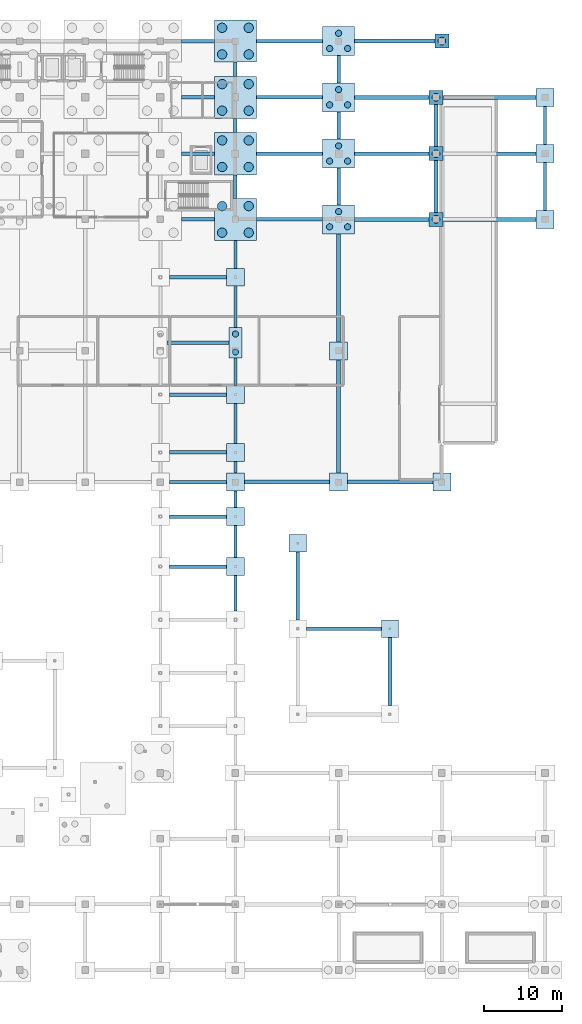
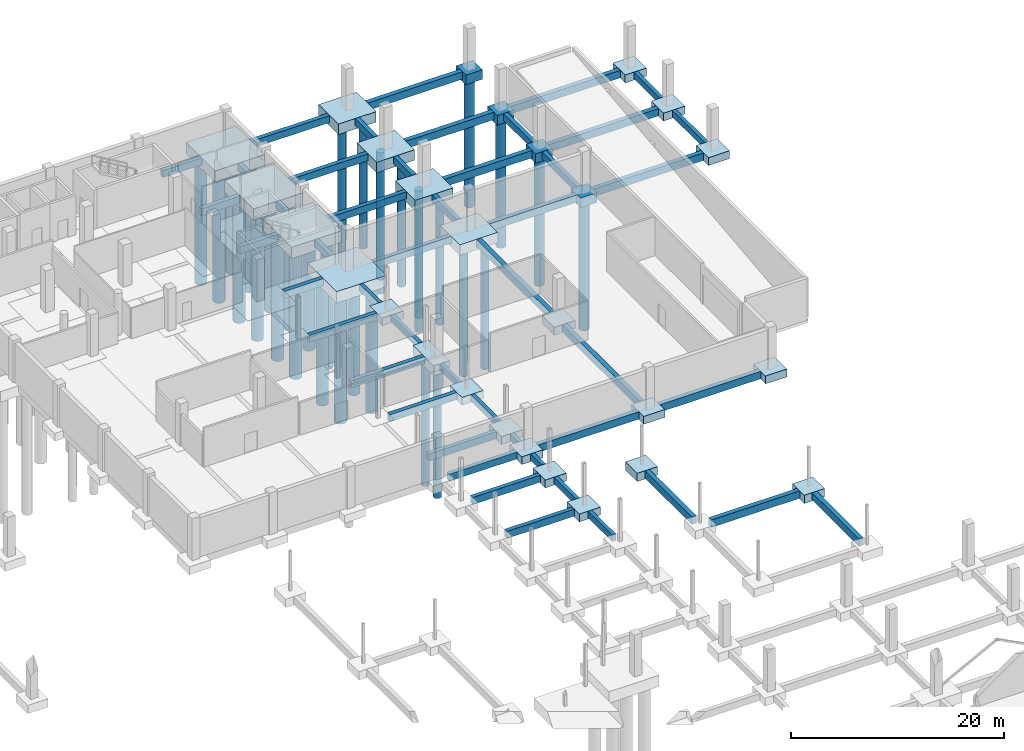
# One storey, part 7 of 44: 74 footings, 34 piles.
"""IFC4 building model written with IfcOpenShell, lengths in metres."""

from ifc_helpers import new_model, si_unit, direction, frame, origin, origin_2d, place, context, subcontext, project, spatial, rectangle, circle, extrude, material, material_profile, profile_set, type_object, element, save


model = new_model("IFC4")

# Units and contexts
model_context = context("Model", 3, precision=1e-05, world=origin(), true_north=direction((0.0, 1.0)))
body_context = subcontext(model_context, "Body", "Model", "MODEL_VIEW")
ifc_project = project(units=[si_unit("LENGTHUNIT", "METRE"), si_unit("AREAUNIT", "SQUARE_METRE"), si_unit("VOLUMEUNIT", "CUBIC_METRE"), si_unit("PLANEANGLEUNIT", "RADIAN"), si_unit("MASSUNIT", "GRAM", prefix="KILO")], contexts=[model_context])

# Site, building, storey
site_placement = place(None, origin())
site = spatial("IfcSite", under=ifc_project, at=site_placement, CompositionType="ELEMENT")
building_placement = place(site_placement, origin())
building = spatial("IfcBuilding", under=site, at=building_placement, Name="Kisaragi Civic Commons", CompositionType="ELEMENT")
storey_placement = place(building_placement, frame((0.0, 0.0, -4.800048828125)))
storey = spatial("IfcBuildingStorey", under=building, at=storey_placement, Name="B1", CompositionType="ELEMENT", Elevation=-4.800048828125)

# Footings
ifc_material_1 = material(Name="Concrete Fc27", Category="concrete")
ifc_material_profile_1 = material_profile(ifc_material_1, rectangle(XDim=0.5, YDim=0.85009765625, at=origin_2d()), Name="RC-500x850", Category="concrete")
ifc_profile_set_1 = profile_set([ifc_material_profile_1], Name="Concrete Fc27")
footing_type_1 = type_object("IfcFootingType", Name="FB-01", PredefinedType="FOOTING_BEAM", material=ifc_profile_set_1)
footing_1_placement = place(storey_placement, frame((142.27392578125, 43.64990234375, -0.425048828125), z_axis=(1.0, 0.0, 0.0), x_axis=(0.0, 1.0, 0.0)))
element("IfcFooting", 1, at=footing_1_placement, inside=storey, type_object=footing_type_1, Name="Foundation tie beam FB-01 X64", PredefinedType="FOOTING_BEAM", context=body_context, shape_type="SweptSolid", body=[
    extrude(rectangle(XDim=0.5, YDim=0.85009765625, at=origin_2d()), origin(), (0.0, 0.0, 1.0), 9.576171875),
])
for number, where, z_axis, x_axis, name in (
    (2, (134.35009765625, 62.39990234375, -0.425048828125), (1.0, 0.0, 0.0), (0.0, 1.0, 0.0), "Foundation tie beam FB-01 X78"),
    (3, (147.550048828125, 62.39990234375, -0.425048828125), (1.0, 0.0, 0.0), (0.0, 1.0, 0.0), "Foundation tie beam FB-01 X79"),
):
    element("IfcFooting", number, at=place(storey_placement, frame(where, z_axis=z_axis, x_axis=x_axis)), inside=storey, type_object=footing_type_1, Name=name, PredefinedType="FOOTING_BEAM", context=body_context, shape_type="SweptSolid", body=[
        extrude(rectangle(XDim=0.5, YDim=0.85009765625, at=origin_2d()), origin(), (0.0, 0.0, 1.0), 10.89990234375),
    ])
footing_2_placement = place(storey_placement, frame((148.449951171875, 96.0, -0.425048828125), z_axis=(1.0, 0.0, 0.0), x_axis=(0.0, 1.0, 0.0)))
element("IfcFooting", 4, at=footing_2_placement, inside=storey, type_object=footing_type_1, Name="Foundation tie beam FB-01 X107", PredefinedType="FOOTING_BEAM", context=body_context, shape_type="SweptSolid", body=[
    extrude(rectangle(XDim=0.5, YDim=0.85009765625, at=origin_2d()), origin(), (0.0, 0.0, 1.0), 9.5),
])
footing_3_placement = place(storey_placement, frame((159.75, 96.0, -0.425048828125), z_axis=(1.0, 0.0, 0.0), x_axis=(0.0, 1.0, 0.0)))
element("IfcFooting", 5, at=footing_3_placement, inside=storey, type_object=footing_type_1, Name="Foundation tie beam FB-01 X108", PredefinedType="FOOTING_BEAM", context=body_context, shape_type="SweptSolid", body=[
    extrude(rectangle(XDim=0.5, YDim=0.85009765625, at=origin_2d()), origin(), (0.0, 0.0, 1.0), 11.89990234375),
])
footing_4_placement = place(storey_placement, frame((148.449951171875, 104.39990234375, -0.425048828125), z_axis=(1.0, 0.0, 0.0), x_axis=(0.0, 1.0, 0.0)))
element("IfcFooting", 6, at=footing_4_placement, inside=storey, type_object=footing_type_1, Name="Foundation tie beam FB-01 X126", PredefinedType="FOOTING_BEAM", context=body_context, shape_type="SweptSolid", body=[
    extrude(rectangle(XDim=0.5, YDim=0.85009765625, at=origin_2d()), origin(), (0.0, 0.0, 1.0), 9.5),
])
footing_5_placement = place(storey_placement, frame((159.75, 104.39990234375, -0.425048828125), z_axis=(1.0, 0.0, 0.0), x_axis=(0.0, 1.0, 0.0)))
element("IfcFooting", 7, at=footing_5_placement, inside=storey, type_object=footing_type_1, Name="Foundation tie beam FB-01 X127", PredefinedType="FOOTING_BEAM", context=body_context, shape_type="SweptSolid", body=[
    extrude(rectangle(XDim=0.5, YDim=0.85009765625, at=origin_2d()), origin(), (0.0, 0.0, 1.0), 11.89990234375),
])
footing_6_placement = place(storey_placement, frame((148.449951171875, 111.60009765625, -0.425048828125), z_axis=(1.0, 0.0, 0.0), x_axis=(0.0, 1.0, 0.0)))
element("IfcFooting", 8, at=footing_6_placement, inside=storey, type_object=footing_type_1, Name="Foundation tie beam FB-01 X143", PredefinedType="FOOTING_BEAM", context=body_context, shape_type="SweptSolid", body=[
    extrude(rectangle(XDim=0.5, YDim=0.85009765625, at=origin_2d()), origin(), (0.0, 0.0, 1.0), 9.5),
])
footing_7_placement = place(storey_placement, frame((159.75, 111.60009765625, -0.425048828125), z_axis=(1.0, 0.0, 0.0), x_axis=(0.0, 1.0, 0.0)))
element("IfcFooting", 9, at=footing_7_placement, inside=storey, type_object=footing_type_1, Name="Foundation tie beam FB-01 X144", PredefinedType="FOOTING_BEAM", context=body_context, shape_type="SweptSolid", body=[
    extrude(rectangle(XDim=0.5, YDim=0.85009765625, at=origin_2d()), origin(), (0.0, 0.0, 1.0), 11.89990234375),
])
footing_8_placement = place(storey_placement, frame((148.449951171875, 118.800048828125, -0.425048828125), z_axis=(1.0, 0.0, 0.0), x_axis=(0.0, 1.0, 0.0)))
element("IfcFooting", 10, at=footing_8_placement, inside=storey, type_object=footing_type_1, Name="Foundation tie beam FB-01 X154", PredefinedType="FOOTING_BEAM", context=body_context, shape_type="SweptSolid", body=[
    extrude(rectangle(XDim=0.5, YDim=0.85009765625, at=origin_2d()), origin(), (0.0, 0.0, 1.0), 10.25),
])
footing_9_placement = place(storey_placement, frame((141.174072265625, 44.75, -0.425048828125), z_axis=(0.0, 1.0, 0.0), x_axis=(-1.0, 0.0, 0.0)))
element("IfcFooting", 11, at=footing_9_placement, inside=storey, type_object=footing_type_1, Name="Foundation tie beam FB-01 Y286", PredefinedType="FOOTING_BEAM", context=body_context, shape_type="SweptSolid", body=[
    extrude(rectangle(XDim=0.5, YDim=0.85009765625, at=origin_2d()), origin(), (0.0, 0.0, 1.0), 8.743896484375),
])
footing_10_placement = place(storey_placement, frame((146.39990234375, 63.550048828125, -0.425048828125), z_axis=(0.0, 1.0, 0.0), x_axis=(-1.0, 0.0, 0.0)))
element("IfcFooting", 12, at=footing_10_placement, inside=storey, type_object=footing_type_1, Name="Foundation tie beam FB-01 Y290", PredefinedType="FOOTING_BEAM", context=body_context, shape_type="SweptSolid", body=[
    extrude(rectangle(XDim=0.5, YDim=0.85009765625, at=origin_2d()), origin(), (0.0, 0.0, 1.0), 14.5),
])
footing_11_placement = place(storey_placement, frame((146.39990234375, 80.35009765625, -0.425048828125), z_axis=(0.0, 1.0, 0.0), x_axis=(-1.0, 0.0, 0.0)))
element("IfcFooting", 13, at=footing_11_placement, inside=storey, type_object=footing_type_1, Name="Foundation tie beam FB-01 Y291", PredefinedType="FOOTING_BEAM", context=body_context, shape_type="SweptSolid", body=[
    extrude(rectangle(XDim=0.5, YDim=0.85009765625, at=origin_2d()), origin(), (0.0, 0.0, 1.0), 13.7998046875),
])
footing_12_placement = place(storey_placement, frame((152.949951171875, 33.805908203125, -0.425048828125), z_axis=(0.0, 1.0, 0.0), x_axis=(-1.0, 0.0, 0.0)))
element("IfcFooting", 14, at=footing_12_placement, inside=storey, type_object=footing_type_1, Name="Foundation tie beam FB-01 Y295", PredefinedType="FOOTING_BEAM", context=body_context, shape_type="SweptSolid", body=[
    extrude(rectangle(XDim=0.5, YDim=0.85009765625, at=origin_2d()), origin(), (0.0, 0.0, 1.0), 8.744140625),
])
ifc_material_profile_2 = material_profile(ifc_material_1, rectangle(XDim=0.449951171875, YDim=0.800048828125, at=origin_2d()), Name="RC-450x800", Category="concrete")
ifc_profile_set_2 = profile_set([ifc_material_profile_2], Name="Concrete Fc27")
footing_type_2 = type_object("IfcFootingType", Name="FB-02", PredefinedType="FOOTING_BEAM", material=ifc_profile_set_2)
for number, where, z_axis, x_axis, name in (
    (15, (124.75, 51.60009765625, -0.39990234375), (1.0, 0.0, 0.0), (0.0, 1.0, 0.0), "Foundation tie beam FB-02 X66"),
    (16, (124.75, 58.0, -0.39990234375), (1.0, 0.0, 0.0), (0.0, 1.0, 0.0), "Foundation tie beam FB-02 X71"),
    (17, (124.75, 62.39990234375, -0.39990234375), (1.0, 0.0, 0.0), (0.0, 1.0, 0.0), "Foundation tie beam FB-02 X77"),
    (18, (124.75, 66.199951171875, -0.39990234375), (1.0, 0.0, 0.0), (0.0, 1.0, 0.0), "Foundation tie beam FB-02 X80"),
    (19, (124.75, 73.60009765625, -0.39990234375), (1.0, 0.0, 0.0), (0.0, 1.0, 0.0), "Foundation tie beam FB-02 X85"),
):
    element("IfcFooting", number, at=place(storey_placement, frame(where, z_axis=z_axis, x_axis=x_axis)), inside=storey, type_object=footing_type_2, Name=name, PredefinedType="FOOTING_BEAM", context=body_context, shape_type="SweptSolid", body=[
        extrude(rectangle(XDim=0.449951171875, YDim=0.800048828125, at=origin_2d()), origin(), (0.0, 0.0, 1.0), 7.300048828125),
    ])
footing_13_placement = place(storey_placement, frame((124.449951171875, 80.199951171875, -0.39990234375), z_axis=(1.0, 0.0, 0.0), x_axis=(0.0, 1.0, 0.0)))
element("IfcFooting", 20, at=footing_13_placement, inside=storey, type_object=footing_type_2, Name="Foundation tie beam FB-02 X93", PredefinedType="FOOTING_BEAM", context=body_context, shape_type="SweptSolid", body=[
    extrude(rectangle(XDim=0.449951171875, YDim=0.800048828125, at=origin_2d()), origin(), (0.0, 0.0, 1.0), 7.900146484375),
])
footing_14_placement = place(storey_placement, frame((124.75, 88.60009765625, -0.39990234375), z_axis=(1.0, 0.0, 0.0), x_axis=(0.0, 1.0, 0.0)))
element("IfcFooting", 21, at=footing_14_placement, inside=storey, type_object=footing_type_2, Name="Foundation tie beam FB-02 X97", PredefinedType="FOOTING_BEAM", context=body_context, shape_type="SweptSolid", body=[
    extrude(rectangle(XDim=0.449951171875, YDim=0.800048828125, at=origin_2d()), origin(), (0.0, 0.0, 1.0), 7.300048828125),
])
footing_15_placement = place(storey_placement, frame((126.300048828125, 96.0, -0.39990234375), z_axis=(1.0, 0.0, 0.0), x_axis=(0.0, 1.0, 0.0)))
element("IfcFooting", 22, at=footing_15_placement, inside=storey, type_object=footing_type_2, Name="Foundation tie beam FB-02 X105", PredefinedType="FOOTING_BEAM", context=body_context, shape_type="SweptSolid", body=[
    extrude(rectangle(XDim=0.449951171875, YDim=0.800048828125, at=origin_2d()), origin(), (0.0, 0.0, 1.0), 4.199951171875),
])
footing_16_placement = place(storey_placement, frame((135.89990234375, 96.0, -0.39990234375), z_axis=(1.0, 0.0, 0.0), x_axis=(0.0, 1.0, 0.0)))
element("IfcFooting", 23, at=footing_16_placement, inside=storey, type_object=footing_type_2, Name="Foundation tie beam FB-02 X106", PredefinedType="FOOTING_BEAM", context=body_context, shape_type="SweptSolid", body=[
    extrude(rectangle(XDim=0.449951171875, YDim=0.800048828125, at=origin_2d()), origin(), (0.0, 0.0, 1.0), 8.4501953125),
])
footing_17_placement = place(storey_placement, frame((126.300048828125, 104.39990234375, -0.39990234375), z_axis=(1.0, 0.0, 0.0), x_axis=(0.0, 1.0, 0.0)))
element("IfcFooting", 24, at=footing_17_placement, inside=storey, type_object=footing_type_2, Name="Foundation tie beam FB-02 X124", PredefinedType="FOOTING_BEAM", context=body_context, shape_type="SweptSolid", body=[
    extrude(rectangle(XDim=0.449951171875, YDim=0.800048828125, at=origin_2d()), origin(), (0.0, 0.0, 1.0), 4.199951171875),
])
footing_18_placement = place(storey_placement, frame((135.89990234375, 104.39990234375, -0.39990234375), z_axis=(1.0, 0.0, 0.0), x_axis=(0.0, 1.0, 0.0)))
element("IfcFooting", 25, at=footing_18_placement, inside=storey, type_object=footing_type_2, Name="Foundation tie beam FB-02 X125", PredefinedType="FOOTING_BEAM", context=body_context, shape_type="SweptSolid", body=[
    extrude(rectangle(XDim=0.449951171875, YDim=0.800048828125, at=origin_2d()), origin(), (0.0, 0.0, 1.0), 8.4501953125),
])
footing_19_placement = place(storey_placement, frame((126.300048828125, 111.60009765625, -0.39990234375), z_axis=(1.0, 0.0, 0.0), x_axis=(0.0, 1.0, 0.0)))
element("IfcFooting", 26, at=footing_19_placement, inside=storey, type_object=footing_type_2, Name="Foundation tie beam FB-02 X141", PredefinedType="FOOTING_BEAM", context=body_context, shape_type="SweptSolid", body=[
    extrude(rectangle(XDim=0.449951171875, YDim=0.800048828125, at=origin_2d()), origin(), (0.0, 0.0, 1.0), 4.199951171875),
])
footing_20_placement = place(storey_placement, frame((135.89990234375, 111.60009765625, -0.39990234375), z_axis=(1.0, 0.0, 0.0), x_axis=(0.0, 1.0, 0.0)))
element("IfcFooting", 27, at=footing_20_placement, inside=storey, type_object=footing_type_2, Name="Foundation tie beam FB-02 X142", PredefinedType="FOOTING_BEAM", context=body_context, shape_type="SweptSolid", body=[
    extrude(rectangle(XDim=0.449951171875, YDim=0.800048828125, at=origin_2d()), origin(), (0.0, 0.0, 1.0), 8.4501953125),
])
footing_21_placement = place(storey_placement, frame((126.300048828125, 118.800048828125, -0.39990234375), z_axis=(1.0, 0.0, 0.0), x_axis=(0.0, 1.0, 0.0)))
element("IfcFooting", 28, at=footing_21_placement, inside=storey, type_object=footing_type_2, Name="Foundation tie beam FB-02 X152", PredefinedType="FOOTING_BEAM", context=body_context, shape_type="SweptSolid", body=[
    extrude(rectangle(XDim=0.449951171875, YDim=0.800048828125, at=origin_2d()), origin(), (0.0, 0.0, 1.0), 4.199951171875),
])
footing_22_placement = place(storey_placement, frame((135.89990234375, 118.800048828125, -0.39990234375), z_axis=(1.0, 0.0, 0.0), x_axis=(0.0, 1.0, 0.0)))
element("IfcFooting", 29, at=footing_22_placement, inside=storey, type_object=footing_type_2, Name="Foundation tie beam FB-02 X153", PredefinedType="FOOTING_BEAM", context=body_context, shape_type="SweptSolid", body=[
    extrude(rectangle(XDim=0.449951171875, YDim=0.800048828125, at=origin_2d()), origin(), (0.0, 0.0, 1.0), 8.4501953125),
])
footing_23_placement = place(storey_placement, frame((133.199951171875, 98.699951171875, -0.39990234375), z_axis=(0.0, 1.0, 0.0), x_axis=(-1.0, 0.0, 0.0)))
element("IfcFooting", 30, at=footing_23_placement, inside=storey, type_object=footing_type_2, Name="Foundation tie beam FB-02 Y282", PredefinedType="FOOTING_BEAM", context=body_context, shape_type="SweptSolid", body=[
    extrude(rectangle(XDim=0.449951171875, YDim=0.800048828125, at=origin_2d()), origin(), (0.0, 0.0, 1.0), 3.0),
])
footing_24_placement = place(storey_placement, frame((133.199951171875, 107.10009765625, -0.39990234375), z_axis=(0.0, 1.0, 0.0), x_axis=(-1.0, 0.0, 0.0)))
element("IfcFooting", 31, at=footing_24_placement, inside=storey, type_object=footing_type_2, Name="Foundation tie beam FB-02 Y283", PredefinedType="FOOTING_BEAM", context=body_context, shape_type="SweptSolid", body=[
    extrude(rectangle(XDim=0.449951171875, YDim=0.800048828125, at=origin_2d()), origin(), (0.0, 0.0, 1.0), 1.7998046875),
])
footing_25_placement = place(storey_placement, frame((133.199951171875, 114.300048828125, -0.39990234375), z_axis=(0.0, 1.0, 0.0), x_axis=(-1.0, 0.0, 0.0)))
element("IfcFooting", 32, at=footing_25_placement, inside=storey, type_object=footing_type_2, Name="Foundation tie beam FB-02 Y284", PredefinedType="FOOTING_BEAM", context=body_context, shape_type="SweptSolid", body=[
    extrude(rectangle(XDim=0.449951171875, YDim=0.800048828125, at=origin_2d()), origin(), (0.0, 0.0, 1.0), 1.800048828125),
])
footing_26_placement = place(storey_placement, frame((146.39990234375, 97.85009765625, -0.39990234375), z_axis=(0.0, 1.0, 0.0), x_axis=(-1.0, 0.0, 0.0)))
element("IfcFooting", 33, at=footing_26_placement, inside=storey, type_object=footing_type_2, Name="Foundation tie beam FB-02 Y292", PredefinedType="FOOTING_BEAM", context=body_context, shape_type="SweptSolid", body=[
    extrude(rectangle(XDim=0.449951171875, YDim=0.800048828125, at=origin_2d()), origin(), (0.0, 0.0, 1.0), 4.699951171875),
])
for number, where, z_axis, x_axis, name in (
    (34, (146.39990234375, 106.25, -0.39990234375), (0.0, 1.0, 0.0), (-1.0, 0.0, 0.0), "Foundation tie beam FB-02 Y293"),
    (35, (146.39990234375, 113.449951171875, -0.39990234375), (0.0, 1.0, 0.0), (-1.0, 0.0, 0.0), "Foundation tie beam FB-02 Y294"),
):
    element("IfcFooting", number, at=place(storey_placement, frame(where, z_axis=z_axis, x_axis=x_axis)), inside=storey, type_object=footing_type_2, Name=name, PredefinedType="FOOTING_BEAM", context=body_context, shape_type="SweptSolid", body=[
        extrude(rectangle(XDim=0.449951171875, YDim=0.800048828125, at=origin_2d()), origin(), (0.0, 0.0, 1.0), 3.5),
    ])
footing_27_placement = place(storey_placement, frame((158.85009765625, 96.89990234375, -0.39990234375), z_axis=(0.0, 1.0, 0.0), x_axis=(-1.0, 0.0, 0.0)))
element("IfcFooting", 36, at=footing_27_placement, inside=storey, type_object=footing_type_2, Name="Foundation tie beam FB-02 Y296", PredefinedType="FOOTING_BEAM", context=body_context, shape_type="SweptSolid", body=[
    extrude(rectangle(XDim=0.449951171875, YDim=0.800048828125, at=origin_2d()), origin(), (0.0, 0.0, 1.0), 6.60009765625),
])
footing_28_placement = place(storey_placement, frame((158.85009765625, 105.300048828125, -0.39990234375), z_axis=(0.0, 1.0, 0.0), x_axis=(-1.0, 0.0, 0.0)))
element("IfcFooting", 37, at=footing_28_placement, inside=storey, type_object=footing_type_2, Name="Foundation tie beam FB-02 Y297", PredefinedType="FOOTING_BEAM", context=body_context, shape_type="SweptSolid", body=[
    extrude(rectangle(XDim=0.449951171875, YDim=0.800048828125, at=origin_2d()), origin(), (0.0, 0.0, 1.0), 5.39990234375),
])
ifc_material_profile_3 = material_profile(ifc_material_1, rectangle(XDim=0.39990234375, YDim=0.75, at=origin_2d()), Name="RC-400x750", Category="concrete")
ifc_profile_set_3 = profile_set([ifc_material_profile_3], Name="Concrete Fc27")
footing_type_3 = type_object("IfcFootingType", Name="FB-03", PredefinedType="FOOTING_BEAM", material=ifc_profile_set_3)
footing_29_placement = place(storey_placement, frame((133.199951171875, 45.949951171875, -0.375), z_axis=(0.0, 1.0, 0.0), x_axis=(-1.0, 0.0, 0.0)))
element("IfcFooting", 38, at=footing_29_placement, inside=storey, type_object=footing_type_3, Name="Foundation tie beam FB-03 Y274", PredefinedType="FOOTING_BEAM", context=body_context, shape_type="SweptSolid", body=[
    extrude(rectangle(XDim=0.39990234375, YDim=0.75, at=origin_2d()), origin(), (0.0, 0.0, 1.0), 4.5),
])
footing_30_placement = place(storey_placement, frame((133.199951171875, 52.75, -0.375), z_axis=(0.0, 1.0, 0.0), x_axis=(-1.0, 0.0, 0.0)))
element("IfcFooting", 39, at=footing_30_placement, inside=storey, type_object=footing_type_3, Name="Foundation tie beam FB-03 Y275", PredefinedType="FOOTING_BEAM", context=body_context, shape_type="SweptSolid", body=[
    extrude(rectangle(XDim=0.39990234375, YDim=0.75, at=origin_2d()), origin(), (0.0, 0.0, 1.0), 4.10009765625),
])
footing_31_placement = place(storey_placement, frame((133.199951171875, 59.14990234375, -0.375), z_axis=(0.0, 1.0, 0.0), x_axis=(-1.0, 0.0, 0.0)))
element("IfcFooting", 40, at=footing_31_placement, inside=storey, type_object=footing_type_3, Name="Foundation tie beam FB-03 Y276", PredefinedType="FOOTING_BEAM", context=body_context, shape_type="SweptSolid", body=[
    extrude(rectangle(XDim=0.39990234375, YDim=0.75, at=origin_2d()), origin(), (0.0, 0.0, 1.0), 2.10009765625),
])
footing_32_placement = place(storey_placement, frame((133.199951171875, 63.550048828125, -0.375), z_axis=(0.0, 1.0, 0.0), x_axis=(-1.0, 0.0, 0.0)))
element("IfcFooting", 41, at=footing_32_placement, inside=storey, type_object=footing_type_3, Name="Foundation tie beam FB-03 Y277", PredefinedType="FOOTING_BEAM", context=body_context, shape_type="SweptSolid", body=[
    extrude(rectangle(XDim=0.39990234375, YDim=0.75, at=origin_2d()), origin(), (0.0, 0.0, 1.0), 1.5),
])
footing_33_placement = place(storey_placement, frame((133.199951171875, 67.35009765625, -0.375), z_axis=(0.0, 1.0, 0.0), x_axis=(-1.0, 0.0, 0.0)))
element("IfcFooting", 42, at=footing_33_placement, inside=storey, type_object=footing_type_3, Name="Foundation tie beam FB-03 Y278", PredefinedType="FOOTING_BEAM", context=body_context, shape_type="SweptSolid", body=[
    extrude(rectangle(XDim=0.39990234375, YDim=0.75, at=origin_2d()), origin(), (0.0, 0.0, 1.0), 5.099853515625),
])
footing_34_placement = place(storey_placement, frame((133.199951171875, 74.75, -0.375), z_axis=(0.0, 1.0, 0.0), x_axis=(-1.0, 0.0, 0.0)))
element("IfcFooting", 43, at=footing_34_placement, inside=storey, type_object=footing_type_3, Name="Foundation tie beam FB-03 Y279", PredefinedType="FOOTING_BEAM", context=body_context, shape_type="SweptSolid", body=[
    extrude(rectangle(XDim=0.39990234375, YDim=0.75, at=origin_2d()), origin(), (0.0, 0.0, 1.0), 3.5),
])
footing_35_placement = place(storey_placement, frame((133.199951171875, 82.14990234375, -0.375), z_axis=(0.0, 1.0, 0.0), x_axis=(-1.0, 0.0, 0.0)))
element("IfcFooting", 44, at=footing_35_placement, inside=storey, type_object=footing_type_3, Name="Foundation tie beam FB-03 Y280", PredefinedType="FOOTING_BEAM", context=body_context, shape_type="SweptSolid", body=[
    extrude(rectangle(XDim=0.39990234375, YDim=0.75, at=origin_2d()), origin(), (0.0, 0.0, 1.0), 5.300048828125),
])
footing_36_placement = place(storey_placement, frame((133.199951171875, 89.75, -0.375), z_axis=(0.0, 1.0, 0.0), x_axis=(-1.0, 0.0, 0.0)))
element("IfcFooting", 45, at=footing_36_placement, inside=storey, type_object=footing_type_3, Name="Foundation tie beam FB-03 Y281", PredefinedType="FOOTING_BEAM", context=body_context, shape_type="SweptSolid", body=[
    extrude(rectangle(XDim=0.39990234375, YDim=0.75, at=origin_2d()), origin(), (0.0, 0.0, 1.0), 3.550048828125),
])
footing_37_placement = place(storey_placement, frame((172.800048828125, 97.14990234375, -0.375), z_axis=(0.0, 1.0, 0.0), x_axis=(-1.0, 0.0, 0.0)))
element("IfcFooting", 46, at=footing_37_placement, inside=storey, type_object=footing_type_3, Name="Foundation tie beam FB-03 Y304", PredefinedType="FOOTING_BEAM", context=body_context, shape_type="SweptSolid", body=[
    extrude(rectangle(XDim=0.39990234375, YDim=0.75, at=origin_2d()), origin(), (0.0, 0.0, 1.0), 6.10009765625),
])
footing_38_placement = place(storey_placement, frame((172.800048828125, 105.550048828125, -0.375), z_axis=(0.0, 1.0, 0.0), x_axis=(-1.0, 0.0, 0.0)))
element("IfcFooting", 47, at=footing_38_placement, inside=storey, type_object=footing_type_3, Name="Foundation tie beam FB-03 Y305", PredefinedType="FOOTING_BEAM", context=body_context, shape_type="SweptSolid", body=[
    extrude(rectangle(XDim=0.39990234375, YDim=0.75, at=origin_2d()), origin(), (0.0, 0.0, 1.0), 4.89990234375),
])

# Piles
ifc_material_profile_4 = material_profile(ifc_material_1, circle(Radius=0.39990234375, at=origin_2d()), Name="PILE-D800", Category="concrete")
ifc_profile_set_4 = profile_set([ifc_material_profile_4], Name="Concrete Fc27")
pile_type_1 = type_object("IfcPileType", Name="P-08", PredefinedType="BORED", material=ifc_profile_set_4)
for number, where, z_axis, x_axis, name in (
    (48, (133.199951171875, 79.050048828125, -1.099853515625), (0.0, 0.0, -1.0), (1.0, 0.0, 0.0), "Bored pile P-08 238.1"),
    (49, (133.199951171875, 81.35009765625, -1.099853515625), (0.0, 0.0, -1.0), (1.0, 0.0, 0.0), "Bored pile P-08 238.2"),
    (50, (145.25, 95.050048828125, -1.099853515625), (0.0, 0.0, -1.0), (1.0, 0.0, 0.0), "Bored pile P-08 253.1"),
    (51, (147.550048828125, 95.050048828125, -1.099853515625), (0.0, 0.0, -1.0), (1.0, 0.0, 0.0), "Bored pile P-08 253.2"),
    (52, (146.39990234375, 97.0, -1.099853515625), (0.0, 0.0, -1.0), (1.0, 0.0, 0.0), "Bored pile P-08 253.3"),
    (53, (145.25, 103.449951171875, -1.099853515625), (0.0, 0.0, -1.0), (1.0, 0.0, 0.0), "Bored pile P-08 254.1"),
    (54, (147.550048828125, 103.449951171875, -1.099853515625), (0.0, 0.0, -1.0), (1.0, 0.0, 0.0), "Bored pile P-08 254.2"),
    (55, (146.39990234375, 105.39990234375, -1.099853515625), (0.0, 0.0, -1.0), (1.0, 0.0, 0.0), "Bored pile P-08 254.3"),
    (56, (145.25, 110.64990234375, -1.099853515625), (0.0, 0.0, -1.0), (1.0, 0.0, 0.0), "Bored pile P-08 255.1"),
    (57, (147.550048828125, 110.64990234375, -1.099853515625), (0.0, 0.0, -1.0), (1.0, 0.0, 0.0), "Bored pile P-08 255.2"),
    (58, (146.39990234375, 112.60009765625, -1.099853515625), (0.0, 0.0, -1.0), (1.0, 0.0, 0.0), "Bored pile P-08 255.3"),
    (59, (145.25, 117.85009765625, -1.099853515625), (0.0, 0.0, -1.0), (1.0, 0.0, 0.0), "Bored pile P-08 256.1"),
    (60, (147.550048828125, 117.85009765625, -1.099853515625), (0.0, 0.0, -1.0), (1.0, 0.0, 0.0), "Bored pile P-08 256.2"),
    (61, (146.39990234375, 119.800048828125, -1.099853515625), (0.0, 0.0, -1.0), (1.0, 0.0, 0.0), "Bored pile P-08 256.3"),
):
    element("IfcPile", number, at=place(storey_placement, frame(where, z_axis=z_axis, x_axis=x_axis)), inside=storey, type_object=pile_type_1, Name=name, PredefinedType="BORED", context=body_context, shape_type="SweptSolid", body=[
        extrude(circle(Radius=0.39990234375, at=origin_2d()), origin(), (0.0, 0.0, 1.0), 14.60009765625),
    ])
ifc_material_profile_5 = material_profile(ifc_material_1, circle(Radius=0.5, at=origin_2d()), Name="PILE-D1000", Category="concrete")
ifc_profile_set_5 = profile_set([ifc_material_profile_5], Name="Concrete Fc27")
pile_type_2 = type_object("IfcPileType", Name="P-10", PredefinedType="BORED", material=ifc_profile_set_5)
for number, where, z_axis, x_axis, name in (
    (62, (158.85009765625, 96.0, -1.099853515625), (0.0, 0.0, -1.0), (1.0, 0.0, 0.0), "Bored pile P-10 259.1"),
    (63, (158.85009765625, 104.39990234375, -1.099853515625), (0.0, 0.0, -1.0), (1.0, 0.0, 0.0), "Bored pile P-10 260.1"),
    (64, (158.85009765625, 111.60009765625, -1.099853515625), (0.0, 0.0, -1.0), (1.0, 0.0, 0.0), "Bored pile P-10 261.1"),
    (65, (159.60009765625, 118.800048828125, -1.099853515625), (0.0, 0.0, -1.0), (1.0, 0.0, 0.0), "Bored pile P-10 267.1"),
):
    element("IfcPile", number, at=place(storey_placement, frame(where, z_axis=z_axis, x_axis=x_axis)), inside=storey, type_object=pile_type_2, Name=name, PredefinedType="BORED", context=body_context, shape_type="SweptSolid", body=[
        extrude(circle(Radius=0.5, at=origin_2d()), origin(), (0.0, 0.0, 1.0), 14.60009765625),
    ])
ifc_material_profile_6 = material_profile(ifc_material_1, circle(Radius=0.60009765625, at=origin_2d()), Name="PILE-D1200", Category="concrete")
ifc_profile_set_6 = profile_set([ifc_material_profile_6], Name="Concrete Fc27")
pile_type_3 = type_object("IfcPileType", Name="P-12", PredefinedType="BORED", material=ifc_profile_set_6)
for number, where, z_axis, x_axis, name in (
    (66, (131.5, 94.300048828125, -1.099853515625), (0.0, 0.0, -1.0), (1.0, 0.0, 0.0), "Bored pile P-12 240.1"),
    (67, (134.89990234375, 94.300048828125, -1.099853515625), (0.0, 0.0, -1.0), (1.0, 0.0, 0.0), "Bored pile P-12 240.2"),
    (68, (131.5, 97.699951171875, -1.099853515625), (0.0, 0.0, -1.0), (1.0, 0.0, 0.0), "Bored pile P-12 240.3"),
    (69, (134.89990234375, 97.699951171875, -1.099853515625), (0.0, 0.0, -1.0), (1.0, 0.0, 0.0), "Bored pile P-12 240.4"),
    (70, (131.5, 102.699951171875, -1.099853515625), (0.0, 0.0, -1.0), (1.0, 0.0, 0.0), "Bored pile P-12 241.1"),
    (71, (134.89990234375, 102.699951171875, -1.099853515625), (0.0, 0.0, -1.0), (1.0, 0.0, 0.0), "Bored pile P-12 241.2"),
    (72, (131.5, 106.10009765625, -1.099853515625), (0.0, 0.0, -1.0), (1.0, 0.0, 0.0), "Bored pile P-12 241.3"),
    (73, (134.89990234375, 106.10009765625, -1.099853515625), (0.0, 0.0, -1.0), (1.0, 0.0, 0.0), "Bored pile P-12 241.4"),
    (74, (131.5, 109.89990234375, -1.099853515625), (0.0, 0.0, -1.0), (1.0, 0.0, 0.0), "Bored pile P-12 242.1"),
    (75, (134.89990234375, 109.89990234375, -1.099853515625), (0.0, 0.0, -1.0), (1.0, 0.0, 0.0), "Bored pile P-12 242.2"),
    (76, (131.5, 113.300048828125, -1.099853515625), (0.0, 0.0, -1.0), (1.0, 0.0, 0.0), "Bored pile P-12 242.3"),
    (77, (134.89990234375, 113.300048828125, -1.099853515625), (0.0, 0.0, -1.0), (1.0, 0.0, 0.0), "Bored pile P-12 242.4"),
    (78, (131.5, 117.10009765625, -1.099853515625), (0.0, 0.0, -1.0), (1.0, 0.0, 0.0), "Bored pile P-12 243.1"),
    (79, (134.89990234375, 117.10009765625, -1.099853515625), (0.0, 0.0, -1.0), (1.0, 0.0, 0.0), "Bored pile P-12 243.2"),
    (80, (131.5, 120.5, -1.099853515625), (0.0, 0.0, -1.0), (1.0, 0.0, 0.0), "Bored pile P-12 243.3"),
    (81, (134.89990234375, 120.5, -1.099853515625), (0.0, 0.0, -1.0), (1.0, 0.0, 0.0), "Bored pile P-12 243.4"),
):
    element("IfcPile", number, at=place(storey_placement, frame(where, z_axis=z_axis, x_axis=x_axis)), inside=storey, type_object=pile_type_3, Name=name, PredefinedType="BORED", context=body_context, shape_type="SweptSolid", body=[
        extrude(circle(Radius=0.60009765625, at=origin_2d()), origin(), (0.0, 0.0, 1.0), 14.60009765625),
    ])

# Footings
ifc_material_2 = material(Name="Concrete Fc36", Category="concrete")
footing_type_4 = type_object("IfcFootingType", Name="PC-1A", PredefinedType="PILE_CAP", material=ifc_material_2)
for number, where, z_axis, x_axis, name in (
    (82, (158.85009765625, 96.0, -1.10009765625), (0.0, 0.0, 1.0), (1.0, 0.0, 0.0), "Pile cap PC-1A 259"),
    (83, (158.85009765625, 104.39990234375, -1.10009765625), (0.0, 0.0, 1.0), (1.0, 0.0, 0.0), "Pile cap PC-1A 260"),
    (84, (158.85009765625, 111.60009765625, -1.10009765625), (0.0, 0.0, 1.0), (1.0, 0.0, 0.0), "Pile cap PC-1A 261"),
    (85, (159.60009765625, 118.800048828125, -1.10009765625), (0.0, 0.0, 1.0), (1.0, 0.0, 0.0), "Pile cap PC-1A 267"),
):
    element("IfcFooting", number, at=place(storey_placement, frame(where, z_axis=z_axis, x_axis=x_axis)), inside=storey, type_object=footing_type_4, Name=name, PredefinedType="PILE_CAP", context=body_context, shape_type="SweptSolid", body=[
        extrude(rectangle(XDim=1.800048828125, YDim=1.800048828125, at=origin_2d()), origin(), (0.0, 0.0, 1.0), 1.10009765625),
    ])
footing_type_5 = type_object("IfcFootingType", Name="PC-2B", PredefinedType="PILE_CAP", material=ifc_material_2)
footing_39_placement = place(storey_placement, frame((133.199951171875, 80.199951171875, -1.14990234375), z_axis=(0.0, 0.0, 1.0), x_axis=(1.0, 0.0, 0.0)))
element("IfcFooting", 86, at=footing_39_placement, inside=storey, type_object=footing_type_5, Name="Pile cap PC-2B 238", PredefinedType="PILE_CAP", context=body_context, shape_type="SweptSolid", body=[
    extrude(rectangle(XDim=1.699951171875, YDim=3.89990234375, at=origin_2d()), origin(), (0.0, 0.0, 1.0), 1.14990234375),
])
footing_type_6 = type_object("IfcFootingType", Name="PC-3A", PredefinedType="PILE_CAP", material=ifc_material_2)
for number, where, z_axis, x_axis, name in (
    (87, (146.39990234375, 96.0, -1.19970703125), (0.0, 0.0, 1.0), (1.0, 0.0, 0.0), "Pile cap PC-3A 253"),
    (88, (146.39990234375, 104.39990234375, -1.19970703125), (0.0, 0.0, 1.0), (1.0, 0.0, 0.0), "Pile cap PC-3A 254"),
    (89, (146.39990234375, 111.60009765625, -1.19970703125), (0.0, 0.0, 1.0), (1.0, 0.0, 0.0), "Pile cap PC-3A 255"),
    (90, (146.39990234375, 118.800048828125, -1.19970703125), (0.0, 0.0, 1.0), (1.0, 0.0, 0.0), "Pile cap PC-3A 256"),
):
    element("IfcFooting", number, at=place(storey_placement, frame(where, z_axis=z_axis, x_axis=x_axis)), inside=storey, type_object=footing_type_6, Name=name, PredefinedType="PILE_CAP", context=body_context, shape_type="SweptSolid", body=[
        extrude(rectangle(XDim=4.10009765625, YDim=3.699951171875, at=origin_2d()), origin(), (0.0, 0.0, 1.0), 1.199951171875),
    ])
footing_type_7 = type_object("IfcFootingType", Name="PC-4C", PredefinedType="PILE_CAP", material=ifc_material_2)
for number, where, z_axis, x_axis, name in (
    (91, (133.199951171875, 96.0, -1.2998046875), (0.0, 0.0, 1.0), (1.0, 0.0, 0.0), "Pile cap PC-4C 240"),
    (92, (133.199951171875, 104.39990234375, -1.2998046875), (0.0, 0.0, 1.0), (1.0, 0.0, 0.0), "Pile cap PC-4C 241"),
    (93, (133.199951171875, 111.60009765625, -1.2998046875), (0.0, 0.0, 1.0), (1.0, 0.0, 0.0), "Pile cap PC-4C 242"),
    (94, (133.199951171875, 118.800048828125, -1.2998046875), (0.0, 0.0, 1.0), (1.0, 0.0, 0.0), "Pile cap PC-4C 243"),
):
    element("IfcFooting", number, at=place(storey_placement, frame(where, z_axis=z_axis, x_axis=x_axis)), inside=storey, type_object=footing_type_7, Name=name, PredefinedType="PILE_CAP", context=body_context, shape_type="SweptSolid", body=[
        extrude(rectangle(XDim=5.39990234375, YDim=5.39990234375, at=origin_2d()), origin(), (0.0, 0.0, 1.0), 1.300048828125),
    ])
footing_type_8 = type_object("IfcFootingType", Name="PF-02", PredefinedType="PAD_FOOTING", material=ifc_material_2)
for number, where, z_axis, x_axis, name in (
    (95, (141.174072265625, 54.593994140625, -0.94970703125), (0.0, 0.0, 1.0), (1.0, 0.0, 0.0), "Pad footing PF-02 246"),
    (96, (152.949951171875, 43.64990234375, -0.94970703125), (0.0, 0.0, 1.0), (1.0, 0.0, 0.0), "Pad footing PF-02 258"),
):
    element("IfcFooting", number, at=place(storey_placement, frame(where, z_axis=z_axis, x_axis=x_axis)), inside=storey, type_object=footing_type_8, Name=name, PredefinedType="PAD_FOOTING", context=body_context, shape_type="SweptSolid", body=[
        extrude(rectangle(XDim=2.199951171875, YDim=2.199951171875, at=origin_2d()), origin(), (0.0, 0.0, 1.0), 0.949951171875),
    ])
footing_type_9 = type_object("IfcFootingType", Name="PF-04", PredefinedType="PAD_FOOTING", material=ifc_material_2)
for number, where, z_axis, x_axis, name in (
    (97, (133.199951171875, 51.60009765625, -0.89990234375), (0.0, 0.0, 1.0), (1.0, 0.0, 0.0), "Pad footing PF-04 233"),
    (98, (133.199951171875, 58.0, -0.89990234375), (0.0, 0.0, 1.0), (1.0, 0.0, 0.0), "Pad footing PF-04 234"),
    (99, (133.199951171875, 62.39990234375, -0.89990234375), (0.0, 0.0, 1.0), (1.0, 0.0, 0.0), "Pad footing PF-04 235"),
    (100, (133.199951171875, 66.199951171875, -0.89990234375), (0.0, 0.0, 1.0), (1.0, 0.0, 0.0), "Pad footing PF-04 236"),
    (101, (133.199951171875, 73.60009765625, -0.89990234375), (0.0, 0.0, 1.0), (1.0, 0.0, 0.0), "Pad footing PF-04 237"),
    (102, (133.199951171875, 88.60009765625, -0.89990234375), (0.0, 0.0, 1.0), (1.0, 0.0, 0.0), "Pad footing PF-04 239"),
    (103, (146.39990234375, 62.39990234375, -0.89990234375), (0.0, 0.0, 1.0), (1.0, 0.0, 0.0), "Pad footing PF-04 251"),
    (104, (146.39990234375, 79.199951171875, -0.89990234375), (0.0, 0.0, 1.0), (1.0, 0.0, 0.0), "Pad footing PF-04 252"),
    (105, (159.60009765625, 62.39990234375, -0.89990234375), (0.0, 0.0, 1.0), (1.0, 0.0, 0.0), "Pad footing PF-04 266"),
    (106, (172.800048828125, 96.0, -0.89990234375), (0.0, 0.0, 1.0), (1.0, 0.0, 0.0), "Pad footing PF-04 272"),
    (107, (172.800048828125, 104.39990234375, -0.89990234375), (0.0, 0.0, 1.0), (1.0, 0.0, 0.0), "Pad footing PF-04 273"),
    (108, (172.800048828125, 111.60009765625, -0.89990234375), (0.0, 0.0, 1.0), (1.0, 0.0, 0.0), "Pad footing PF-04 274"),
):
    element("IfcFooting", number, at=place(storey_placement, frame(where, z_axis=z_axis, x_axis=x_axis)), inside=storey, type_object=footing_type_9, Name=name, PredefinedType="PAD_FOOTING", context=body_context, shape_type="SweptSolid", body=[
        extrude(rectangle(XDim=2.300048828125, YDim=2.300048828125, at=origin_2d()), origin(), (0.0, 0.0, 1.0), 0.89990234375),
    ])

save(model, "model.ifc")
